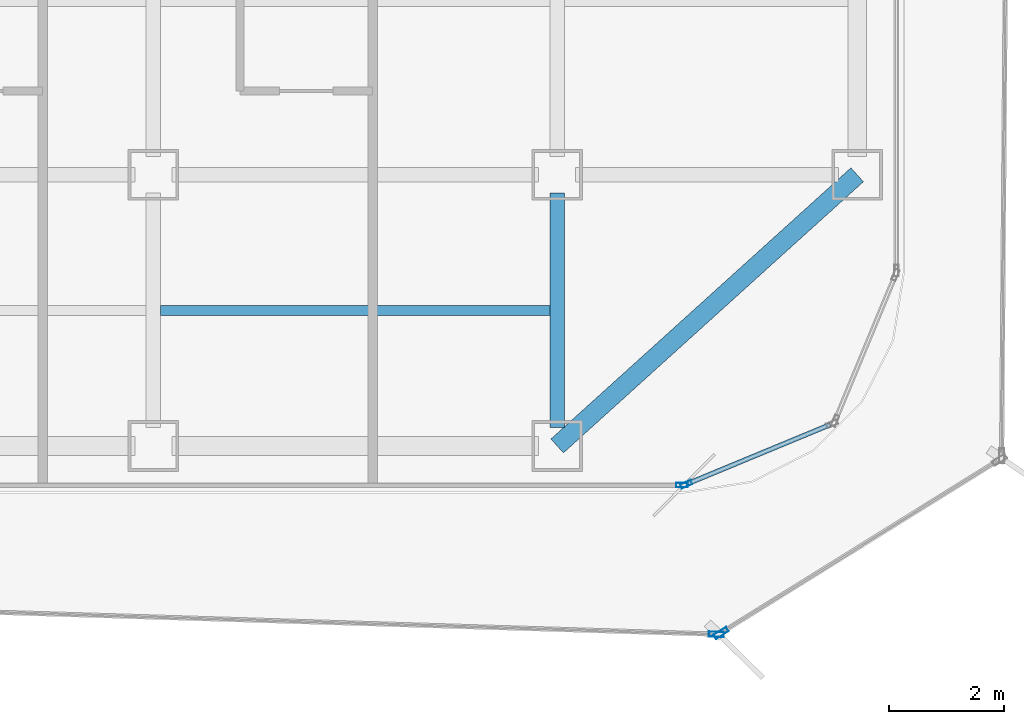
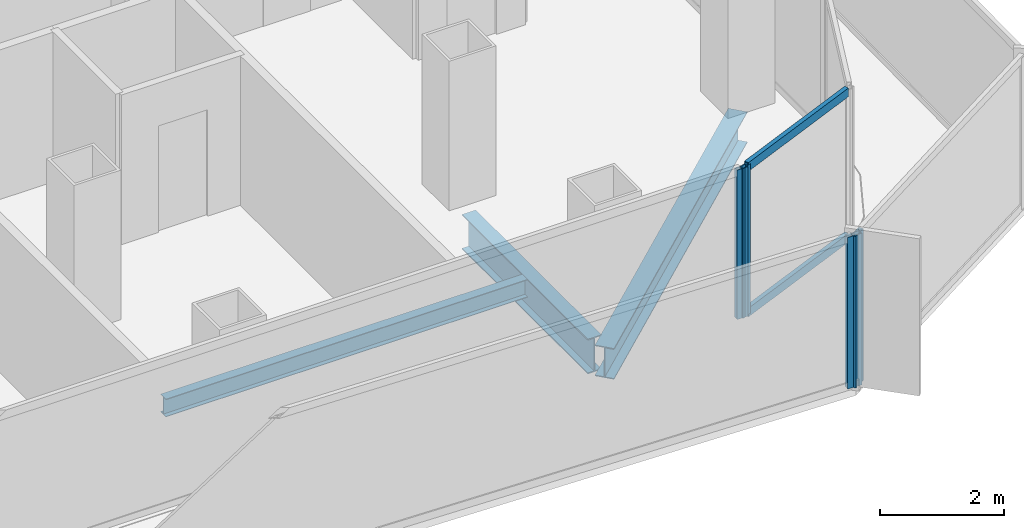
# One storey, part 6 of 21: 6 members, 3 beams, 4 elements without a shape of their own.
"""IFC4 building model written with IfcOpenShell, lengths in metres."""

from ifc_helpers import new_model, si_unit, direction, frame, origin, origin_2d, place, context, subcontext, project, spatial, hollow_rectangle, i_section, extrude, source, transform, mapped, material, layer, layer_set, material_profile, profile_set, type_object, element, aggregate, save


model = new_model("IFC4")

# Units and contexts
model_context = context("Model", 3, precision=1e-05, world=origin(), true_north=direction((0.0, 1.0)))
body_context = subcontext(model_context, "Body", "Model", "MODEL_VIEW")
ifc_project = project(units=[si_unit("LENGTHUNIT", "METRE"), si_unit("AREAUNIT", "SQUARE_METRE"), si_unit("VOLUMEUNIT", "CUBIC_METRE"), si_unit("PLANEANGLEUNIT", "RADIAN"), si_unit("MASSUNIT", "GRAM", prefix="KILO")], contexts=[model_context])

# Site, building, storey
site_placement = place(None, origin())
site = spatial("IfcSite", under=ifc_project, at=site_placement, CompositionType="ELEMENT")
building_placement = place(site_placement, origin())
building = spatial("IfcBuilding", under=site, at=building_placement, Name="Kolveth Station Tower", CompositionType="ELEMENT")
storey_placement = place(building_placement, frame((0.0, 0.0, 99.10009765625)))
storey = spatial("IfcBuildingStorey", under=building, at=storey_placement, Name="L26", CompositionType="ELEMENT", Elevation=99.10009765625)

# Beams
ifc_material_1 = material(Name="Steel S355", Category="steel")
ifc_material_profile_1 = material_profile(ifc_material_1, i_section(OverallWidth=0.323974609375, OverallDepth=0.611083984375, WebThickness=0.0126953125, FlangeThickness=0.01904296875, at=origin_2d()), Name="W610x155")
ifc_profile_set_1 = profile_set([ifc_material_profile_1], Name="Steel S355")
beam_type_1 = type_object("IfcBeamType", Name="Beam_SP2", PredefinedType="SPANDREL", material=ifc_profile_set_1)
shared_shape_1 = source(origin(), body_context, "Body", "SweptSolid", [
    extrude(i_section(OverallWidth=0.323974609375, OverallDepth=0.611083984375, WebThickness=0.0126953125, FlangeThickness=0.01904296875, at=origin_2d()), origin(), (0.0, 0.0, 1.0), 7.00927734375),
])
beam_1_placement = place(storey_placement, frame((41.0, 0.800048828125, -0.5556640625), z_axis=(0.741874009795, 0.670539300557, 0.0), x_axis=(-0.670539300557, 0.741874009795, 0.0)))
element("IfcBeam", 1, at=beam_1_placement, inside=storey, type_object=beam_type_1, Name="L26 Corner Edge Girder BM-L26-CNR-SE", PredefinedType="SPANDREL", context=body_context, shape_type="MappedRepresentation", body=[
    mapped(shared_shape_1, transform((0.0, 0.0, 0.0), x_axis=(1.0, 0.0, 0.0), y_axis=(0.0, 1.0, 0.0), z_axis=(0.0, 0.0, 1.0), scale=1.0)),
])
ifc_material_profile_2 = material_profile(ifc_material_1, i_section(OverallWidth=0.25390625, OverallDepth=0.68798828125, WebThickness=0.01318359375, FlangeThickness=0.02099609375, at=origin_2d()), Name="W690x152")
ifc_profile_set_2 = profile_set([ifc_material_profile_2], Name="Steel S355")
beam_type_2 = type_object("IfcBeamType", Name="Beam_B4", PredefinedType="BEAM", material=ifc_profile_set_2)
shared_shape_2 = source(origin(), body_context, "Body", "SweptSolid", [
    extrude(i_section(OverallWidth=0.25390625, OverallDepth=0.68798828125, WebThickness=0.01318359375, FlangeThickness=0.02099609375, at=origin_2d()), origin(), (0.0, 0.0, 1.0), 4.059814453125),
])
beam_2_placement = place(storey_placement, frame((41.0, 1.1201171875, -0.593994140625), z_axis=(0.0, 1.0, 0.0), x_axis=(-1.0, 0.0, 0.0)))
element("IfcBeam", 2, at=beam_2_placement, inside=storey, type_object=beam_type_2, Name="L26 Primary Girder BM-L26-GX410-1", PredefinedType="BEAM", context=body_context, shape_type="MappedRepresentation", body=[
    mapped(shared_shape_2, transform((0.0, 0.0, 0.0), x_axis=(1.0, 0.0, 0.0), y_axis=(0.0, 1.0, 0.0), z_axis=(0.0, 0.0, 1.0), scale=1.0)),
])
ifc_material_profile_3 = material_profile(ifc_material_1, i_section(OverallWidth=0.1708984375, OverallDepth=0.35205078125, WebThickness=0.0068359375, FlangeThickness=0.009765625, at=origin_2d()), Name="W360x44")
ifc_profile_set_3 = profile_set([ifc_material_profile_3], Name="Steel S355")
beam_type_3 = type_object("IfcBeamType", Name="Beam_J2", PredefinedType="JOIST", material=ifc_profile_set_3)
shared_shape_3 = source(origin(), body_context, "Body", "SweptSolid", [
    extrude(i_section(OverallWidth=0.1708984375, OverallDepth=0.35205078125, WebThickness=0.0068359375, FlangeThickness=0.009765625, at=origin_2d()), origin(), (0.0, 0.0, 1.0), 6.75),
])
beam_3_placement = place(storey_placement, frame((34.125, 3.14990234375, -0.426025390625), z_axis=(1.0, 0.0, 0.0), x_axis=(0.0, 1.0, 0.0)))
element("IfcBeam", 3, at=beam_3_placement, inside=storey, type_object=beam_type_3, Name="L26 Secondary Joist JST-L26-6-1", PredefinedType="JOIST", context=body_context, shape_type="MappedRepresentation", body=[
    mapped(shared_shape_3, transform((0.0, 0.0, 0.0), x_axis=(1.0, 0.0, 0.0), y_axis=(0.0, 1.0, 0.0), z_axis=(0.0, 0.0, 1.0), scale=1.0)),
])

# Curtain wall, member
ifc_material_2 = material(Name="Aluminium 6063-T6 and low-E dark glass", Category="aluminium")
ifc_layer_1 = layer(ifc_material_2, 0.18994140625)
ifc_layer_set_1 = layer_set([ifc_layer_1], Name="Aluminium 6063-T6 and low-E dark glass")
curtain_wall_type_1 = type_object("IfcCurtainWallType", Name="CurtainWall_CW-Z2", PredefinedType="NOTDEFINED", material=ifc_layer_set_1)
curtain_wall_1_placement = place(storey_placement, origin())
curtain_wall_1 = element("IfcCurtainWall", 4, at=curtain_wall_1_placement, inside=storey, type_object=curtain_wall_type_1, Name="L26 Inner Thermal Curtain Wall 1", PredefinedType="NOTDEFINED")
ifc_material_3 = material(Name="Black anodized aluminium 6063-T6", Category="aluminium")
ifc_material_profile_4 = material_profile(ifc_material_3, hollow_rectangle(XDim=0.080078125, YDim=0.199951171875, WallThickness=0.0048828125, at=origin_2d()), Name="ALU-80x200x5")
ifc_profile_set_4 = profile_set([ifc_material_profile_4], Name="Black anodized aluminium 6063-T6")
member_type_1 = type_object("IfcMemberType", Name="Mullion_ML2", PredefinedType="MULLION", material=ifc_profile_set_4)
shared_shape_4 = source(origin(), body_context, "Body", "SweptSolid", [
    extrude(hollow_rectangle(XDim=0.080078125, YDim=0.199951171875, WallThickness=0.0048828125, at=origin_2d()), origin(), (0.0, 0.0, 1.0), 2.949951171875),
])
member_1_placement = place(storey_placement, frame((43.237060546875, 0.13525390625, 0.0), z_axis=(0.0, 0.0, 1.0), x_axis=(-0.38266326998, 0.923887883787, 0.0)))
member_1 = element("IfcMember", 5, at=member_1_placement, type_object=member_type_1, Name="CW-Z2 mullion 1", PredefinedType="MULLION", context=body_context, shape_type="MappedRepresentation", body=[
    mapped(shared_shape_4, transform((0.0, 0.0, 0.0), x_axis=(1.0, 0.0, 0.0), y_axis=(0.0, 1.0, 0.0), z_axis=(0.0, 0.0, 1.0), scale=1.0)),
])

curtain_wall_2_placement = place(storey_placement, origin())
curtain_wall_2 = element("IfcCurtainWall", 6, at=curtain_wall_2_placement, inside=storey, type_object=curtain_wall_type_1, Name="L26 Inner Thermal Curtain Wall 12", PredefinedType="NOTDEFINED")
member_2_placement = place(storey_placement, frame((43.159912109375, 0.1201171875, 0.0), z_axis=(0.0, 0.0, 1.0), x_axis=(0.0, 1.0, 0.0)))
member_2 = element("IfcMember", 7, at=member_2_placement, type_object=member_type_1, Name="CW-Z2 mullion 3", PredefinedType="MULLION", context=body_context, shape_type="MappedRepresentation", body=[
    mapped(shared_shape_4, transform((0.0, 0.0, 0.0), x_axis=(1.0, 0.0, 0.0), y_axis=(0.0, 1.0, 0.0), z_axis=(0.0, 0.0, 1.0), scale=1.0)),
])
aggregate(curtain_wall_2, [member_2])

# Member
ifc_material_profile_5 = material_profile(ifc_material_3, hollow_rectangle(XDim=0.080078125, YDim=0.169921875, WallThickness=0.0048828125, at=origin_2d()), Name="ALU-80x170x5")
ifc_profile_set_5 = profile_set([ifc_material_profile_5], Name="Black anodized aluminium 6063-T6")
member_type_2 = type_object("IfcMemberType", Name="Transom_TR2", PredefinedType="USERDEFINED", material=ifc_profile_set_5)
shared_shape_5 = source(origin(), body_context, "Body", "SweptSolid", [
    extrude(hollow_rectangle(XDim=0.080078125, YDim=0.169921875, WallThickness=0.0048828125, at=origin_2d()), origin(), (0.0, 0.0, 1.0), 2.656494140625),
])
member_3_placement = place(storey_placement, frame((43.27392578125, 0.150634765625, 0.039794921875), z_axis=(0.923882422403, 0.382676455475, 0.0), x_axis=(-0.382676455475, 0.923882422403, 0.0)))
member_3 = element("IfcMember", 8, at=member_3_placement, type_object=member_type_2, Name="CW-Z2 transom 1.1", ObjectType="TRANSOM", PredefinedType="USERDEFINED", context=body_context, shape_type="MappedRepresentation", body=[
    mapped(shared_shape_5, transform((0.0, 0.0, 0.0), x_axis=(1.0, 0.0, 0.0), y_axis=(0.0, 1.0, 0.0), z_axis=(0.0, 0.0, 1.0), scale=1.0)),
])

member_4_placement = place(storey_placement, frame((43.27392578125, 0.150634765625, 2.909912109375), z_axis=(0.923882422403, 0.382676455475, 0.0), x_axis=(-0.382676455475, 0.923882422403, 0.0)))
member_4 = element("IfcMember", 9, at=member_4_placement, type_object=member_type_2, Name="CW-Z2 transom 1.2", ObjectType="TRANSOM", PredefinedType="USERDEFINED", context=body_context, shape_type="MappedRepresentation", body=[
    mapped(shared_shape_5, transform((0.0, 0.0, 0.0), x_axis=(1.0, 0.0, 0.0), y_axis=(0.0, 1.0, 0.0), z_axis=(0.0, 0.0, 1.0), scale=1.0)),
])

aggregate(curtain_wall_1, [member_1, member_3, member_4])

# Curtain wall, member
ifc_material_4 = material(Name="Black anodized aluminium 6063-T6 and dark solar glass", Category="aluminium")
ifc_layer_2 = layer(ifc_material_4, 0.159912109375)
ifc_layer_set_2 = layer_set([ifc_layer_2], Name="Black anodized aluminium 6063-T6 and dark solar glass")
curtain_wall_type_2 = type_object("IfcCurtainWallType", Name="OUTER SKIN CW-OS", PredefinedType="NOTDEFINED", material=ifc_layer_set_2)
curtain_wall_3_placement = place(storey_placement, origin())
curtain_wall_3 = element("IfcCurtainWall", 10, at=curtain_wall_3_placement, inside=storey, type_object=curtain_wall_type_2, Name="L26 Outer Ventilated Skin Curtain Wall 1", PredefinedType="NOTDEFINED")
ifc_material_profile_6 = material_profile(ifc_material_3, hollow_rectangle(XDim=0.090087890625, YDim=0.260009765625, WallThickness=0.0048828125, at=origin_2d()), Name="ALU-90x260x5")
ifc_profile_set_6 = profile_set([ifc_material_profile_6], Name="Black anodized aluminium 6063-T6")
member_type_3 = type_object("IfcMemberType", Name="FIN MULLION ML-OS", PredefinedType="MULLION", material=ifc_profile_set_6)
shared_shape_6 = source(origin(), body_context, "Body", "SweptSolid", [
    extrude(hollow_rectangle(XDim=0.090087890625, YDim=0.260009765625, WallThickness=0.0048828125, at=origin_2d()), origin(), (0.0, 0.0, 1.0), 2.989990234375),
])
member_5_placement = place(storey_placement, frame((43.8408203125, -2.44287109375, 0.0), z_axis=(0.0, 0.0, 1.0), x_axis=(-0.528114359078, 0.849173258962, 0.0)))
member_5 = element("IfcMember", 11, at=member_5_placement, type_object=member_type_3, Name="CW-OS mullion 1", PredefinedType="MULLION", context=body_context, shape_type="MappedRepresentation", body=[
    mapped(shared_shape_6, transform((0.0, 0.0, 0.0), x_axis=(1.0, 0.0, 0.0), y_axis=(0.0, 1.0, 0.0), z_axis=(0.0, 0.0, 1.0), scale=1.0)),
])
aggregate(curtain_wall_3, [member_5])

curtain_wall_4_placement = place(storey_placement, origin())
curtain_wall_4 = element("IfcCurtainWall", 12, at=curtain_wall_4_placement, inside=storey, type_object=curtain_wall_type_2, Name="L26 Outer Ventilated Skin Curtain Wall 8", PredefinedType="NOTDEFINED")
member_6_placement = place(storey_placement, frame((43.7578125, -2.46533203125, 0.0), z_axis=(0.0, 0.0, 1.0), x_axis=(0.030347965801, 0.999539394407, 0.0)))
member_6 = element("IfcMember", 13, at=member_6_placement, type_object=member_type_3, Name="CW-OS mullion 2", PredefinedType="MULLION", context=body_context, shape_type="MappedRepresentation", body=[
    mapped(shared_shape_6, transform((0.0, 0.0, 0.0), x_axis=(1.0, 0.0, 0.0), y_axis=(0.0, 1.0, 0.0), z_axis=(0.0, 0.0, 1.0), scale=1.0)),
])
aggregate(curtain_wall_4, [member_6])

save(model, "model.ifc")
